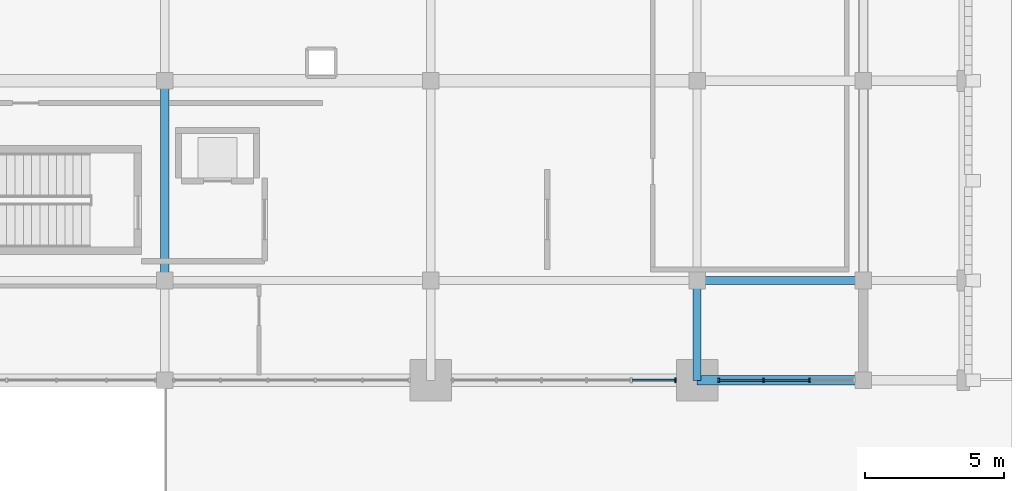
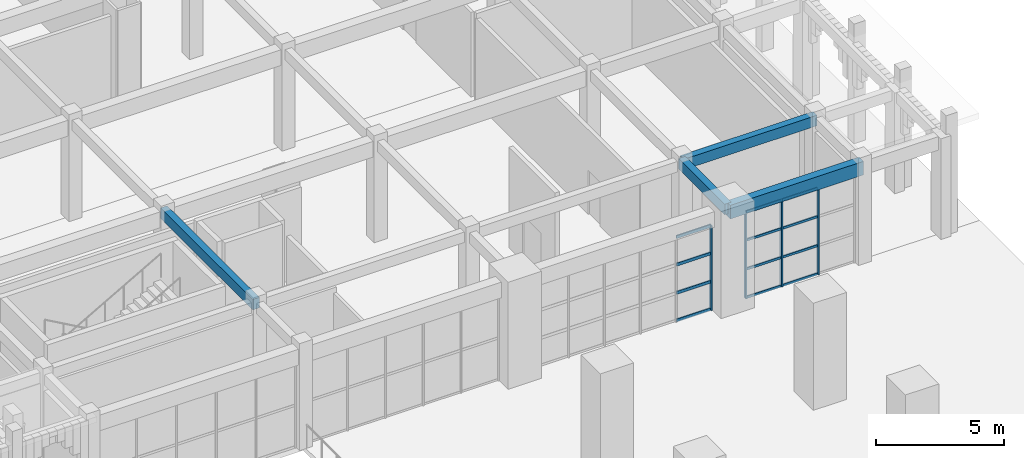
# One storey, part 22 of 72: 16 members, 4 beams, 2 elements without a shape of their own.
"""IFC4 building model written with IfcOpenShell, lengths in metres."""

from ifc_helpers import new_model, si_unit, direction, frame, origin, origin_2d, place, context, subcontext, project, spatial, rectangle, extrude, material, material_profile, profile_set, type_object, element, aggregate, save


model = new_model("IFC4")

# Units and contexts
model_context = context("Model", 3, precision=1e-05, world=origin(), true_north=direction((0.0, 1.0)))
body_context = subcontext(model_context, "Body", "Model", "MODEL_VIEW")
ifc_project = project(units=[si_unit("LENGTHUNIT", "METRE"), si_unit("AREAUNIT", "SQUARE_METRE"), si_unit("VOLUMEUNIT", "CUBIC_METRE"), si_unit("PLANEANGLEUNIT", "RADIAN"), si_unit("MASSUNIT", "GRAM", prefix="KILO")], contexts=[model_context])

# Site, building, storey
site_placement = place(None, origin())
site = spatial("IfcSite", under=ifc_project, at=site_placement, CompositionType="ELEMENT")
building_placement = place(site_placement, origin())
building = spatial("IfcBuilding", under=site, at=building_placement, Name="Nzembalo Square Collegiate School", CompositionType="ELEMENT")
storey_placement = place(building_placement, origin())
storey = spatial("IfcBuildingStorey", under=building, at=storey_placement, Name="L00", CompositionType="ELEMENT", Elevation=0.0)

# Beams
ifc_material_1 = material(Name="Concrete C35/45", Category="concrete")
ifc_material_profile_1 = material_profile(ifc_material_1, rectangle(XDim=0.35009765625, YDim=0.64990234375, at=origin_2d()), Name="RC 350x650")
ifc_profile_set_1 = profile_set([ifc_material_profile_1], Name="Concrete C35/45")
beam_type_1 = type_object("IfcBeamType", Name="B01", PredefinedType="BEAM", material=ifc_profile_set_1)
beam_1_placement = place(storey_placement, frame((159.60009765625, 79.199951171875, 4.465087890625), z_axis=(1.0, 0.0, 0.0), x_axis=(0.0, 1.0, 0.0)))
element("IfcBeam", 1, at=beam_1_placement, inside=storey, type_object=beam_type_1, Name="Beam B01 L00", PredefinedType="BEAM", context=body_context, shape_type="SweptSolid", body=[
    extrude(rectangle(XDim=0.35009765625, YDim=0.64990234375, at=origin_2d()), origin(), (0.0, 0.0, 1.0), 6.0),
])
ifc_material_2 = material(Name="Concrete C35/45", Category="concrete")
ifc_material_profile_2 = material_profile(ifc_material_2, rectangle(XDim=0.300048828125, YDim=0.5, at=origin_2d()), Name="RC 300x500")
ifc_profile_set_2 = profile_set([ifc_material_profile_2], Name="Concrete C35/45")
beam_type_2 = type_object("IfcBeamType", Name="B02", PredefinedType="BEAM", material=ifc_profile_set_2)
beam_2_placement = place(storey_placement, frame((140.39990234375, 82.800048828125, 4.5400390625), z_axis=(0.0, 1.0, 0.0), x_axis=(-1.0, 0.0, 0.0)))
element("IfcBeam", 2, at=beam_2_placement, inside=storey, type_object=beam_type_2, Name="Beam B02 L00", PredefinedType="BEAM", context=body_context, shape_type="SweptSolid", body=[
    extrude(rectangle(XDim=0.300048828125, YDim=0.5, at=origin_2d()), origin(), (0.0, 0.0, 1.0), 7.199951171875),
])
beam_3_placement = place(storey_placement, frame((159.60009765625, 79.199951171875, 4.5400390625), z_axis=(0.0, 1.0, 0.0), x_axis=(-1.0, 0.0, 0.0)))
element("IfcBeam", 3, at=beam_3_placement, inside=storey, type_object=beam_type_2, Name="Beam B02 L00", PredefinedType="BEAM", context=body_context, shape_type="SweptSolid", body=[
    extrude(rectangle(XDim=0.300048828125, YDim=0.5, at=origin_2d()), origin(), (0.0, 0.0, 1.0), 3.60009765625),
])
ifc_material_3 = material(Name="Concrete C35/45", Category="concrete")
ifc_material_profile_3 = material_profile(ifc_material_3, rectangle(XDim=0.300048828125, YDim=0.5, at=origin_2d()), Name="RC 300x500")
ifc_profile_set_3 = profile_set([ifc_material_profile_3], Name="Concrete C35/45")
beam_type_3 = type_object("IfcBeamType", Name="SP01", PredefinedType="SPANDREL", material=ifc_profile_set_3)
beam_4_placement = place(storey_placement, frame((159.60009765625, 82.800048828125, 4.5400390625), z_axis=(1.0, 0.0, 0.0), x_axis=(0.0, 1.0, 0.0)))
element("IfcBeam", 4, at=beam_4_placement, inside=storey, type_object=beam_type_3, Name="Beam SP01 L00", PredefinedType="SPANDREL", context=body_context, shape_type="SweptSolid", body=[
    extrude(rectangle(XDim=0.300048828125, YDim=0.5, at=origin_2d()), origin(), (0.0, 0.0, 1.0), 6.0),
])

# Curtain wall, member
ifc_material_4 = material(Name="Aluminium 6060-T66", Category="aluminium")
curtain_wall_type_1 = type_object("IfcCurtainWallType", Name="CW-09", PredefinedType="USERDEFINED", material=ifc_material_4)
curtain_wall_1_placement = place(storey_placement, origin())
curtain_wall_1 = element("IfcCurtainWall", 5, at=curtain_wall_1_placement, inside=storey, type_object=curtain_wall_type_1, Name="Curtain wall CW-09 cw:L00:024", ObjectType="UNITISED", PredefinedType="USERDEFINED")
ifc_material_5 = material(Name="Aluminium 6060-T66", Category="aluminium")
ifc_material_profile_4 = material_profile(ifc_material_5, rectangle(XDim=0.06005859375, YDim=0.179931640625, at=origin_2d()), Name="ALU M60x180")
ifc_profile_set_4 = profile_set([ifc_material_profile_4], Name="Aluminium 6060-T66")
member_type_1 = type_object("IfcMemberType", Name="ML01", PredefinedType="MULLION", material=ifc_profile_set_4)
member_1_placement = place(storey_placement, frame((158.818115234375, 79.199951171875, 0.0), z_axis=(0.0, 0.0, 1.0), x_axis=(1.0, 0.0, 0.0)))
member_1 = element("IfcMember", 6, at=member_1_placement, type_object=member_type_1, Name="ML01 mullion 6", PredefinedType="MULLION", context=body_context, shape_type="SweptSolid", body=[
    extrude(rectangle(XDim=0.06005859375, YDim=0.179931640625, at=origin_2d()), origin(), (0.0, 0.0, 1.0), 4.033935546875),
])

# Curtain wall, members
ifc_material_6 = material(Name="Aluminium 6060-T66", Category="aluminium")
curtain_wall_type_2 = type_object("IfcCurtainWallType", Name="CW-14", PredefinedType="USERDEFINED", material=ifc_material_6)
curtain_wall_2_placement = place(storey_placement, origin())
curtain_wall_2 = element("IfcCurtainWall", 7, at=curtain_wall_2_placement, inside=storey, type_object=curtain_wall_type_2, Name="Curtain wall CW-14 cw:L00:025", ObjectType="UNITISED", PredefinedType="USERDEFINED")
ifc_material_7 = material(Name="Aluminium 6060-T66", Category="aluminium")
ifc_material_profile_5 = material_profile(ifc_material_7, rectangle(XDim=0.06005859375, YDim=0.14990234375, at=origin_2d()), Name="ALU M60x150")
ifc_profile_set_5 = profile_set([ifc_material_profile_5], Name="Aluminium 6060-T66")
member_type_2 = type_object("IfcMemberType", Name="ML02", PredefinedType="MULLION", material=ifc_profile_set_5)
member_2_placement = place(storey_placement, frame((160.382080078125, 79.199951171875, 0.0), z_axis=(0.0, 0.0, 1.0), x_axis=(1.0, 0.0, 0.0)))
member_2 = element("IfcMember", 8, at=member_2_placement, type_object=member_type_2, Name="ML02 mullion 1", PredefinedType="MULLION", context=body_context, shape_type="SweptSolid", body=[
    extrude(rectangle(XDim=0.06005859375, YDim=0.14990234375, at=origin_2d()), origin(), (0.0, 0.0, 1.0), 4.134033203125),
])
member_3_placement = place(storey_placement, frame((162.000732421875, 79.199951171875, 0.0), z_axis=(0.0, 0.0, 1.0), x_axis=(1.0, 0.0, 0.0)))
member_3 = element("IfcMember", 9, at=member_3_placement, type_object=member_type_2, Name="ML02 mullion 2", PredefinedType="MULLION", context=body_context, shape_type="SweptSolid", body=[
    extrude(rectangle(XDim=0.06005859375, YDim=0.14990234375, at=origin_2d()), origin(), (0.0, 0.0, 1.0), 4.134033203125),
])
member_4_placement = place(storey_placement, frame((163.6494140625, 79.199951171875, 0.0), z_axis=(0.0, 0.0, 1.0), x_axis=(1.0, 0.0, 0.0)))
member_4 = element("IfcMember", 10, at=member_4_placement, type_object=member_type_2, Name="ML02 mullion 3", PredefinedType="MULLION", context=body_context, shape_type="SweptSolid", body=[
    extrude(rectangle(XDim=0.06005859375, YDim=0.14990234375, at=origin_2d()), origin(), (0.0, 0.0, 1.0), 4.134033203125),
])

# Member
ifc_material_8 = material(Name="Aluminium 6060-T66", Category="aluminium")
ifc_material_profile_6 = material_profile(ifc_material_8, rectangle(XDim=0.06005859375, YDim=0.139892578125, at=origin_2d()), Name="ALU T60x140")
ifc_profile_set_6 = profile_set([ifc_material_profile_6], Name="Aluminium 6060-T66")
member_type_3 = type_object("IfcMemberType", Name="TR01", PredefinedType="USERDEFINED", material=ifc_profile_set_6)
member_5_placement = place(storey_placement, frame((157.2587890625, 79.199951171875, 0.030029296875), z_axis=(1.0, 0.0, 0.0), x_axis=(0.0, 1.0, 0.0)))
member_5 = element("IfcMember", 11, at=member_5_placement, type_object=member_type_3, Name="TR01 transom 1-5", ObjectType="TRANSOM", PredefinedType="USERDEFINED", context=body_context, shape_type="SweptSolid", body=[
    extrude(rectangle(XDim=0.06005859375, YDim=0.139892578125, at=origin_2d()), origin(), (0.0, 0.0, 1.0), 1.529296875),
])

member_6_placement = place(storey_placement, frame((157.2587890625, 79.199951171875, 1.3447265625), z_axis=(1.0, 0.0, 0.0), x_axis=(0.0, 1.0, 0.0)))
member_6 = element("IfcMember", 12, at=member_6_placement, type_object=member_type_3, Name="TR01 transom 2-5", ObjectType="TRANSOM", PredefinedType="USERDEFINED", context=body_context, shape_type="SweptSolid", body=[
    extrude(rectangle(XDim=0.06005859375, YDim=0.139892578125, at=origin_2d()), origin(), (0.0, 0.0, 1.0), 1.529296875),
])

member_7_placement = place(storey_placement, frame((157.2587890625, 79.199951171875, 2.689208984375), z_axis=(1.0, 0.0, 0.0), x_axis=(0.0, 1.0, 0.0)))
member_7 = element("IfcMember", 13, at=member_7_placement, type_object=member_type_3, Name="TR01 transom 3-5", ObjectType="TRANSOM", PredefinedType="USERDEFINED", context=body_context, shape_type="SweptSolid", body=[
    extrude(rectangle(XDim=0.06005859375, YDim=0.139892578125, at=origin_2d()), origin(), (0.0, 0.0, 1.0), 1.529296875),
])

member_8_placement = place(storey_placement, frame((157.2587890625, 79.199951171875, 4.00390625), z_axis=(1.0, 0.0, 0.0), x_axis=(0.0, 1.0, 0.0)))
member_8 = element("IfcMember", 14, at=member_8_placement, type_object=member_type_3, Name="TR01 transom 4-5", ObjectType="TRANSOM", PredefinedType="USERDEFINED", context=body_context, shape_type="SweptSolid", body=[
    extrude(rectangle(XDim=0.06005859375, YDim=0.139892578125, at=origin_2d()), origin(), (0.0, 0.0, 1.0), 1.529296875),
])

aggregate(curtain_wall_1, [member_1, member_5, member_6, member_7, member_8])

ifc_material_9 = material(Name="Aluminium 6060-T66", Category="aluminium")
ifc_material_profile_7 = material_profile(ifc_material_9, rectangle(XDim=0.06005859375, YDim=0.110107421875, at=origin_2d()), Name="ALU T60x110")
ifc_profile_set_7 = profile_set([ifc_material_profile_7], Name="Aluminium 6060-T66")
member_type_4 = type_object("IfcMemberType", Name="TR02", PredefinedType="USERDEFINED", material=ifc_profile_set_7)
member_9_placement = place(storey_placement, frame((160.412109375, 79.199951171875, 0.030029296875), z_axis=(1.0, 0.0, 0.0), x_axis=(0.0, 1.0, 0.0)))
member_9 = element("IfcMember", 15, at=member_9_placement, type_object=member_type_4, Name="TR02 transom 1-1", ObjectType="TRANSOM", PredefinedType="USERDEFINED", context=body_context, shape_type="SweptSolid", body=[
    extrude(rectangle(XDim=0.06005859375, YDim=0.110107421875, at=origin_2d()), origin(), (0.0, 0.0, 1.0), 1.55859375),
])

member_10_placement = place(storey_placement, frame((162.03076171875, 79.199951171875, 0.030029296875), z_axis=(1.0, 0.0, 0.0), x_axis=(0.0, 1.0, 0.0)))
member_10 = element("IfcMember", 16, at=member_10_placement, type_object=member_type_4, Name="TR02 transom 1-2", ObjectType="TRANSOM", PredefinedType="USERDEFINED", context=body_context, shape_type="SweptSolid", body=[
    extrude(rectangle(XDim=0.06005859375, YDim=0.110107421875, at=origin_2d()), origin(), (0.0, 0.0, 1.0), 1.588623046875),
])

member_11_placement = place(storey_placement, frame((160.412109375, 79.199951171875, 1.3779296875), z_axis=(1.0, 0.0, 0.0), x_axis=(0.0, 1.0, 0.0)))
member_11 = element("IfcMember", 17, at=member_11_placement, type_object=member_type_4, Name="TR02 transom 2-1", ObjectType="TRANSOM", PredefinedType="USERDEFINED", context=body_context, shape_type="SweptSolid", body=[
    extrude(rectangle(XDim=0.06005859375, YDim=0.110107421875, at=origin_2d()), origin(), (0.0, 0.0, 1.0), 1.55859375),
])

member_12_placement = place(storey_placement, frame((162.03076171875, 79.199951171875, 1.3779296875), z_axis=(1.0, 0.0, 0.0), x_axis=(0.0, 1.0, 0.0)))
member_12 = element("IfcMember", 18, at=member_12_placement, type_object=member_type_4, Name="TR02 transom 2-2", ObjectType="TRANSOM", PredefinedType="USERDEFINED", context=body_context, shape_type="SweptSolid", body=[
    extrude(rectangle(XDim=0.06005859375, YDim=0.110107421875, at=origin_2d()), origin(), (0.0, 0.0, 1.0), 1.588623046875),
])

member_13_placement = place(storey_placement, frame((160.412109375, 79.199951171875, 2.756103515625), z_axis=(1.0, 0.0, 0.0), x_axis=(0.0, 1.0, 0.0)))
member_13 = element("IfcMember", 19, at=member_13_placement, type_object=member_type_4, Name="TR02 transom 3-1", ObjectType="TRANSOM", PredefinedType="USERDEFINED", context=body_context, shape_type="SweptSolid", body=[
    extrude(rectangle(XDim=0.06005859375, YDim=0.110107421875, at=origin_2d()), origin(), (0.0, 0.0, 1.0), 1.55859375),
])

member_14_placement = place(storey_placement, frame((162.03076171875, 79.199951171875, 2.756103515625), z_axis=(1.0, 0.0, 0.0), x_axis=(0.0, 1.0, 0.0)))
member_14 = element("IfcMember", 20, at=member_14_placement, type_object=member_type_4, Name="TR02 transom 3-2", ObjectType="TRANSOM", PredefinedType="USERDEFINED", context=body_context, shape_type="SweptSolid", body=[
    extrude(rectangle(XDim=0.06005859375, YDim=0.110107421875, at=origin_2d()), origin(), (0.0, 0.0, 1.0), 1.588623046875),
])

member_15_placement = place(storey_placement, frame((160.412109375, 79.199951171875, 4.10400390625), z_axis=(1.0, 0.0, 0.0), x_axis=(0.0, 1.0, 0.0)))
member_15 = element("IfcMember", 21, at=member_15_placement, type_object=member_type_4, Name="TR02 transom 4-1", ObjectType="TRANSOM", PredefinedType="USERDEFINED", context=body_context, shape_type="SweptSolid", body=[
    extrude(rectangle(XDim=0.06005859375, YDim=0.110107421875, at=origin_2d()), origin(), (0.0, 0.0, 1.0), 1.55859375),
])

member_16_placement = place(storey_placement, frame((162.03076171875, 79.199951171875, 4.10400390625), z_axis=(1.0, 0.0, 0.0), x_axis=(0.0, 1.0, 0.0)))
member_16 = element("IfcMember", 22, at=member_16_placement, type_object=member_type_4, Name="TR02 transom 4-2", ObjectType="TRANSOM", PredefinedType="USERDEFINED", context=body_context, shape_type="SweptSolid", body=[
    extrude(rectangle(XDim=0.06005859375, YDim=0.110107421875, at=origin_2d()), origin(), (0.0, 0.0, 1.0), 1.588623046875),
])

aggregate(curtain_wall_2, [member_2, member_3, member_4, member_9, member_10, member_11, member_12, member_13, member_14, member_15, member_16])

save(model, "model.ifc")
